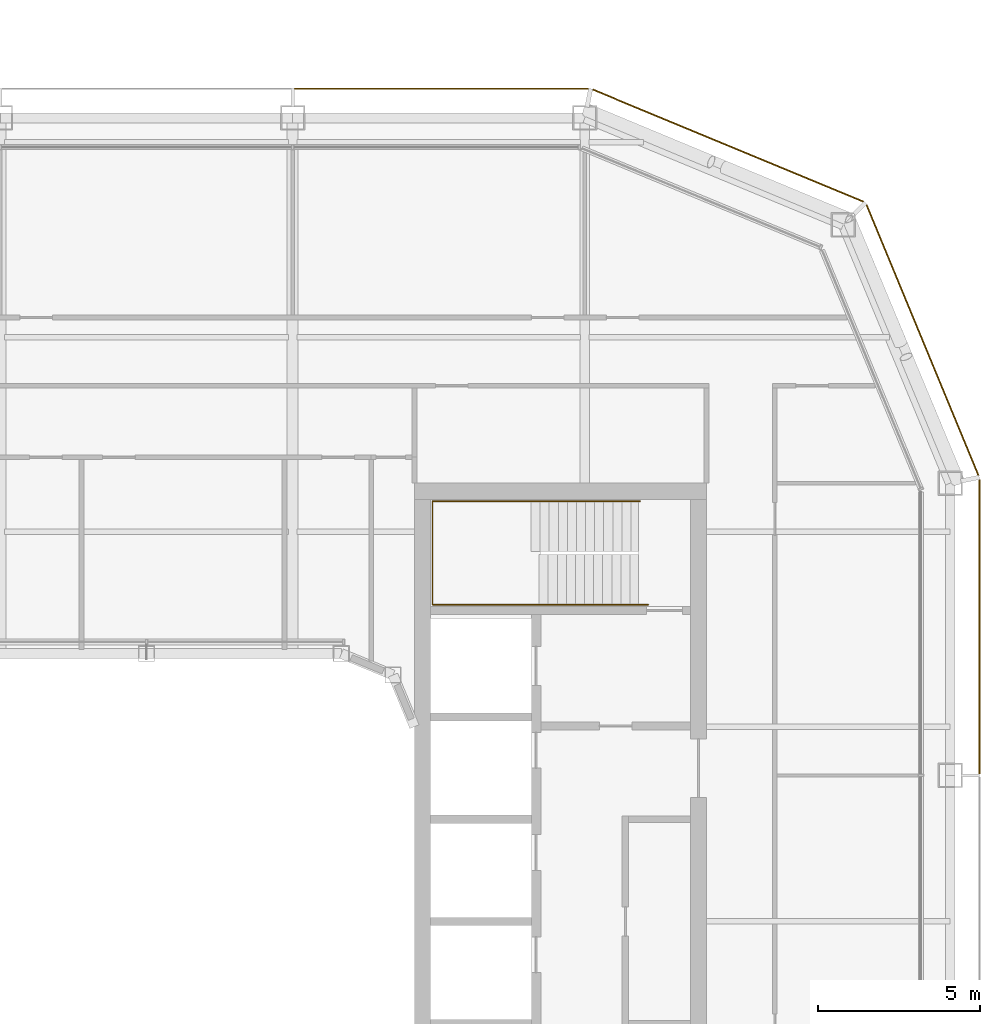
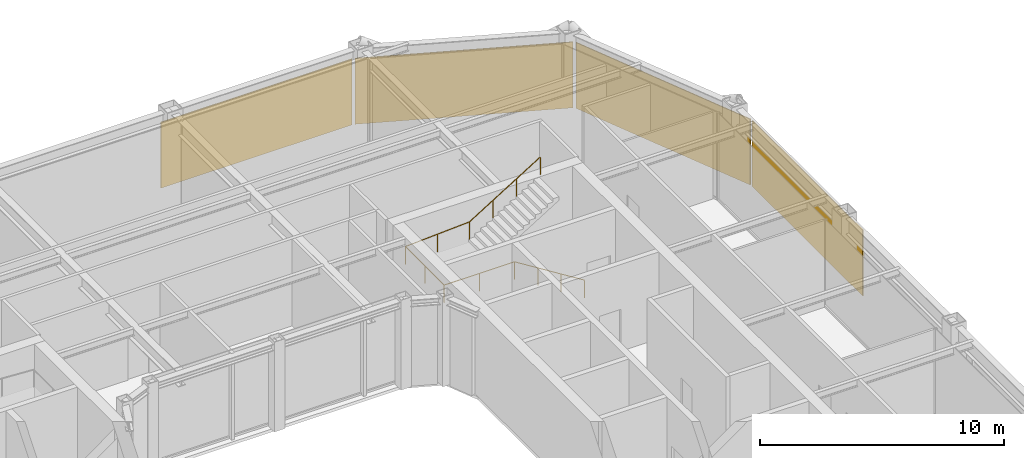
# One storey, part 20 of 21: 4 coverings, 1 railing.
"""IFC4 building model written with IfcOpenShell, lengths in metres."""

from ifc_helpers import new_model, si_unit, direction, frame, origin, origin_2d, place, context, subcontext, project, spatial, rectangle, circle, extrude, material, layer, layer_set, type_object, element, save


model = new_model("IFC4")

# Units and contexts
model_context = context("Model", 3, precision=1e-05, world=origin(), true_north=direction((0.0, 1.0)))
body_context = subcontext(model_context, "Body", "Model", "MODEL_VIEW")
ifc_project = project(units=[si_unit("LENGTHUNIT", "METRE"), si_unit("AREAUNIT", "SQUARE_METRE"), si_unit("VOLUMEUNIT", "CUBIC_METRE"), si_unit("PLANEANGLEUNIT", "RADIAN"), si_unit("MASSUNIT", "GRAM", prefix="KILO")], contexts=[model_context])

# Site, building, storey
site_placement = place(None, origin())
site = spatial("IfcSite", under=ifc_project, at=site_placement, CompositionType="ELEMENT")
building_placement = place(site_placement, origin())
building = spatial("IfcBuilding", under=site, at=building_placement, Name="Siwar Civic Tower", CompositionType="ELEMENT")
storey_placement = place(building_placement, frame((0.0, 0.0, 294.199951171875)))
storey = spatial("IfcBuildingStorey", under=building, at=storey_placement, Name="L63", CompositionType="ELEMENT", Elevation=294.199951171875)

# Railing
ifc_material_1 = material(Name="Stainless steel", Category="steel")
railing_type = type_object("IfcRailingType", Name="CORE-STAIR-HANDRAIL", PredefinedType="HANDRAIL", material=ifc_material_1)
railing_placement = place(storey_placement, frame((15.449951171875, 9.758056640625, 0.173095703125)))
element("IfcRailing", 1, at=railing_placement, inside=storey, type_object=railing_type, Name="Stair handrail ST3", PredefinedType="HANDRAIL", context=body_context, shape_type="SweptSolid", body=[
    extrude(circle(Radius=0.02001953125, at=origin_2d()), frame((0.0, 0.0, 0.8798828125), z_axis=(-0.847063342986, 0.0, 0.531491950051), x_axis=(0.0, -1.0, 0.0)), (0.0, 0.0, 1.0), 3.90771484375),
    extrude(circle(Radius=0.02001953125, at=origin_2d()), frame((-3.31005859375, 0.0, 2.956787109375), z_axis=(-1.0, 0.0, 0.0), x_axis=(0.0, -1.0, 0.0)), (0.0, 0.0, 1.0), 3.331787109375),
    extrude(circle(Radius=0.02001953125, at=origin_2d()), frame((-6.641845703125, 0.0, 2.956787109375), z_axis=(0.0, 1.0, 0.0), x_axis=(-1.0, 0.0, 0.0)), (0.0, 0.0, 1.0), 3.183837890625),
    extrude(circle(Radius=0.02001953125, at=origin_2d()), frame((-6.641845703125, 3.183837890625, 2.956787109375), z_axis=(0.99837434197, 0.0, 0.056997134106), x_axis=(0.0, 1.0, 0.0)), (0.0, 0.0, 1.0), 3.036865234375),
    extrude(circle(Radius=0.02001953125, at=origin_2d()), frame((-3.60986328125, 3.183837890625, 3.1298828125), z_axis=(0.850606129759, 0.0, 0.525803396734), x_axis=(0.0, 1.0, 0.0)), (0.0, 0.0, 1.0), 3.949951171875),
    extrude(circle(Radius=0.02001953125, at=origin_2d()), origin(), (0.0, 0.0, 1.0), 0.85986328125),
    extrude(circle(Radius=0.02001953125, at=origin_2d()), frame((-1.103271484375, 0.0, 0.6923828125)), (0.0, 0.0, 1.0), 0.85986328125),
    extrude(circle(Radius=0.02001953125, at=origin_2d()), frame((-2.206787109375, 0.0, 1.384521484375)), (0.0, 0.0, 1.0), 0.85986328125),
    extrude(circle(Radius=0.02001953125, at=origin_2d()), frame((-3.31005859375, 0.0, 2.076904296875)), (0.0, 0.0, 1.0), 0.85986328125),
    extrude(circle(Radius=0.02001953125, at=origin_2d()), frame((-4.97607421875, 0.0, 2.076904296875)), (0.0, 0.0, 1.0), 0.85986328125),
    extrude(circle(Radius=0.02001953125, at=origin_2d()), frame((-6.641845703125, 0.0, 2.076904296875)), (0.0, 0.0, 1.0), 0.85986328125),
    extrude(circle(Radius=0.02001953125, at=origin_2d()), frame((-6.641845703125, 1.591796875, 2.076904296875)), (0.0, 0.0, 1.0), 0.85986328125),
    extrude(circle(Radius=0.02001953125, at=origin_2d()), frame((-6.641845703125, 3.183837890625, 2.076904296875)), (0.0, 0.0, 1.0), 0.85986328125),
    extrude(circle(Radius=0.02001953125, at=origin_2d()), frame((-5.1259765625, 3.183837890625, 2.16357421875)), (0.0, 0.0, 1.0), 0.85986328125),
    extrude(circle(Radius=0.02001953125, at=origin_2d()), frame((-3.60986328125, 3.183837890625, 2.25)), (0.0, 0.0, 1.0), 0.85986328125),
    extrude(circle(Radius=0.02001953125, at=origin_2d()), frame((-2.489990234375, 3.183837890625, 2.9423828125)), (0.0, 0.0, 1.0), 0.85986328125),
    extrude(circle(Radius=0.02001953125, at=origin_2d()), frame((-1.369873046875, 3.183837890625, 3.634521484375)), (0.0, 0.0, 1.0), 0.85986328125),
    extrude(circle(Radius=0.02001953125, at=origin_2d()), frame((-0.25, 3.183837890625, 4.326904296875)), (0.0, 0.0, 1.0), 0.85986328125),
])

# Coverings
ifc_material_2 = material(Name="Perforated aluminium cassette, pale metal", Category="aluminium")
ifc_layer = layer(ifc_material_2, 0.0400390625)
ifc_layer_set = layer_set([ifc_layer], Name="Perforated aluminium cassette, pale metal")
covering_type = type_object("IfcCoveringType", Name="ENV-OUTER SKIN OS-1", PredefinedType="CLADDING", material=ifc_layer_set)
covering_1_placement = place(storey_placement, frame((25.64990234375, 9.07958984375, -0.14990234375), z_axis=(0.0, 0.0, 1.0), x_axis=(0.0, 1.0, 0.0)))
element("IfcCovering", 2, at=covering_1_placement, inside=storey, type_object=covering_type, Name="OUTER SKIN OS-1 E 3", PredefinedType="CLADDING", context=body_context, shape_type="SweptSolid", body=[
    extrude(rectangle(XDim=9.05908203125, YDim=0.0400390625, at=origin_2d()), origin(), (0.0, 0.0, 1.0), 3.300048828125),
])
for number, where, z_axis, x_axis, name in (
    (3, (23.89697265625, 17.911376953125, -0.14990234375), (0.0, 0.0, 1.0), (-0.382683432365, 0.923879532511, 0.0), "OUTER SKIN OS-1 NE1 1"),
    (4, (17.911376953125, 23.89697265625, -0.14990234375), (0.0, 0.0, 1.0), (-0.923879532511, 0.382683432365, 0.0), "OUTER SKIN OS-1 NE2 1"),
):
    element("IfcCovering", number, at=place(storey_placement, frame(where, z_axis=z_axis, x_axis=x_axis)), inside=storey, type_object=covering_type, Name=name, PredefinedType="CLADDING", context=body_context, shape_type="SweptSolid", body=[
        extrude(rectangle(XDim=9.022216796875, YDim=0.0400390625, at=origin_2d()), origin(), (0.0, 0.0, 1.0), 3.300048828125),
    ])
covering_2_placement = place(storey_placement, frame((9.07958984375, 25.64990234375, -0.14990234375), z_axis=(0.0, 0.0, 1.0), x_axis=(-1.0, 0.0, 0.0)))
element("IfcCovering", 5, at=covering_2_placement, inside=storey, type_object=covering_type, Name="OUTER SKIN OS-1 N 1", PredefinedType="CLADDING", context=body_context, shape_type="SweptSolid", body=[
    extrude(rectangle(XDim=9.05908203125, YDim=0.0400390625, at=origin_2d()), origin(), (0.0, 0.0, 1.0), 3.300048828125),
])

save(model, "model.ifc")
